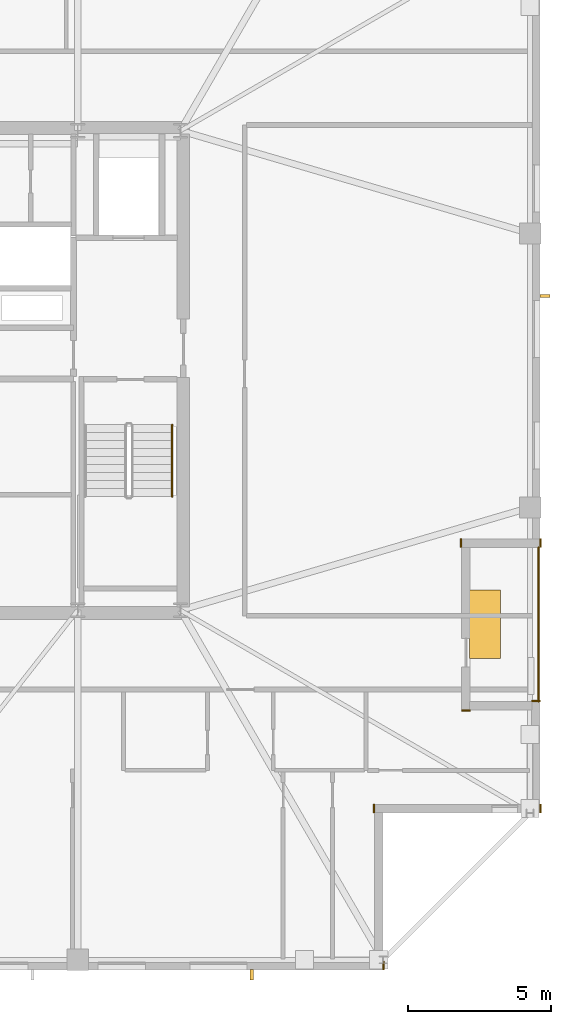
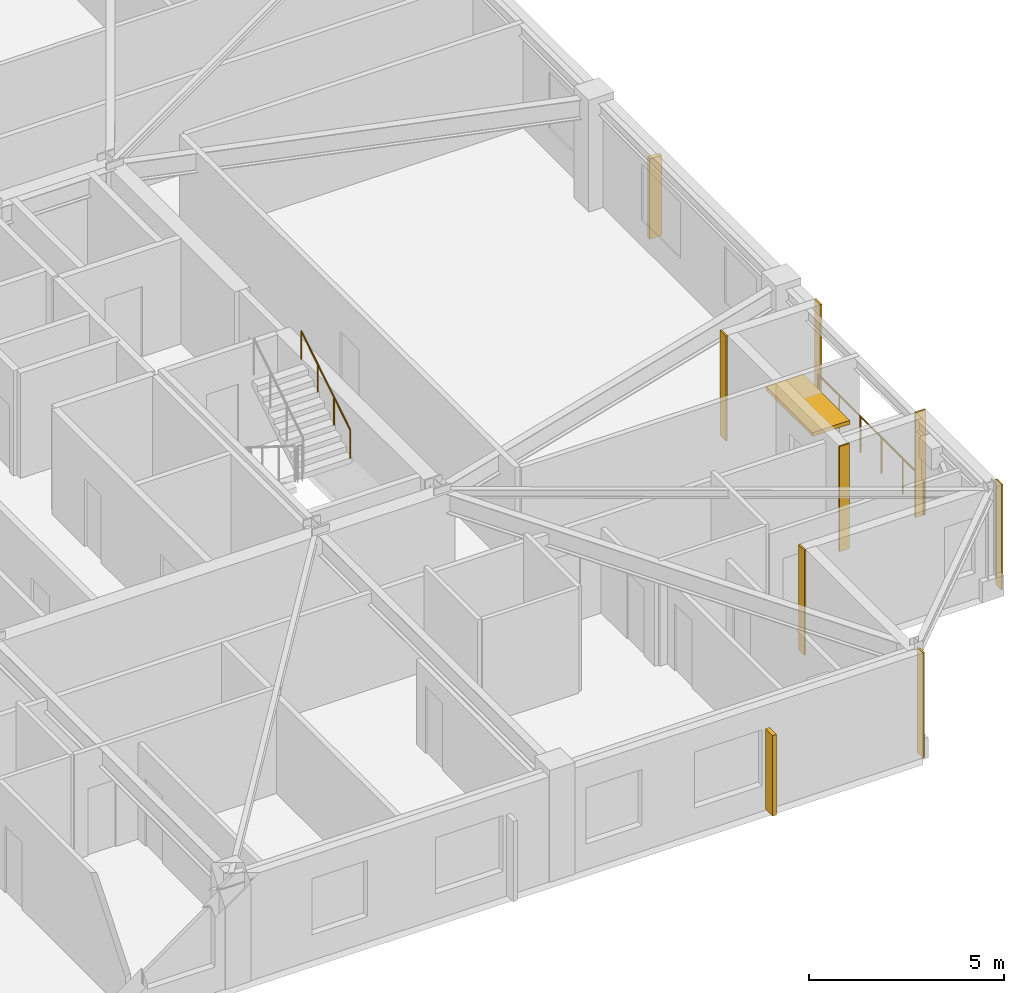
# One storey, part 13 of 14: 7 coverings, 3 shading devices, 2 railings.
"""IFC4 building model written with IfcOpenShell, lengths in metres."""

from ifc_helpers import new_model, si_unit, direction, frame, frame_2d, origin, origin_2d, place, context, subcontext, project, spatial, rectangle, circle, extrude, material, layer, layer_set, type_object, element, save


model = new_model("IFC4")

# Units and contexts
model_context = context("Model", 3, precision=1e-05, world=origin(), true_north=direction((0.0, 1.0)))
body_context = subcontext(model_context, "Body", "Model", "MODEL_VIEW")
ifc_project = project(units=[si_unit("LENGTHUNIT", "METRE"), si_unit("AREAUNIT", "SQUARE_METRE"), si_unit("VOLUMEUNIT", "CUBIC_METRE"), si_unit("PLANEANGLEUNIT", "RADIAN"), si_unit("MASSUNIT", "GRAM", prefix="KILO")], contexts=[model_context])

# Site, building, storey
site_placement = place(None, origin())
site = spatial("IfcSite", under=ifc_project, at=site_placement, CompositionType="ELEMENT")
building_placement = place(site_placement, origin())
building = spatial("IfcBuilding", under=site, at=building_placement, Name="Cairnveth Concourse Tower", CompositionType="ELEMENT")
storey_placement = place(building_placement, frame((0.0, 0.0, 294.5)))
storey = spatial("IfcBuildingStorey", under=building, at=storey_placement, Name="L81", CompositionType="ELEMENT", Elevation=294.5)

# Coverings
ifc_material_1 = material(Name="Dressed Melbourne Bluestone Cladding", Category="masonry")
ifc_layer = layer(ifc_material_1, 0.050048828125)
ifc_layer_set = layer_set([ifc_layer], Name="Dressed Melbourne Bluestone Cladding")
covering_type = type_object("IfcCoveringType", Name="DRESSED BLUESTONE PLINTH CLADDING 50", PredefinedType="CLADDING", material=ifc_layer_set)
for number, where, z_axis, x_axis, name in (
    (1, (72.699951171875, 27.419921875, 0.0), (0.0, 0.0, 1.0), (1.0, 0.0, 0.0), "Melbourne Bluestone Corner Quoin L81-1227"),
    (2, (73.02001953125, 23.800048828125, 0.0), (0.0, 0.0, 1.0), (0.0, -1.0, 0.0), "Melbourne Bluestone Corner Quoin L81-1228"),
    (3, (67.179931640625, 23.800048828125, 0.0), (0.0, 0.0, 1.0), (0.0, -1.0, 0.0), "Melbourne Bluestone Corner Quoin L81-1229"),
    (4, (67.52001953125, 18.300048828125, 0.0), (0.0, 0.0, 1.0), (0.0, -1.0, 0.0), "Melbourne Bluestone Corner Quoin L81-1230"),
    (5, (73.02001953125, 33.10009765625, 0.0), (0.0, 0.0, 1.0), (0.0, -1.0, 0.0), "Melbourne Bluestone Corner Quoin L81-1240"),
    (6, (70.22998046875, 33.10009765625, 0.0), (0.0, 0.0, 1.0), (0.0, -1.0, 0.0), "Melbourne Bluestone Corner Quoin L81-1241"),
    (7, (70.25, 27.080078125, 0.0), (0.0, 0.0, 1.0), (1.0, 0.0, 0.0), "Melbourne Bluestone Corner Quoin L81-1242"),
):
    element("IfcCovering", number, at=place(storey_placement, frame(where, z_axis=z_axis, x_axis=x_axis)), inside=storey, type_object=covering_type, Name=name, PredefinedType="CLADDING", context=body_context, shape_type="SweptSolid", body=[
        extrude(rectangle(XDim=0.300048828125, YDim=0.050048828125, at=frame_2d((0.14990234375, 0.0))), origin(), (0.0, 0.0, 1.0), 3.2900390625),
    ])

# Shading devices
ifc_material_2 = material(Name="Architectural Bronze Anodised Aluminium 6063-T6", Category="aluminium")
shading_device_type_1 = type_object("IfcShadingDeviceType", Name="GOTHIC BRONZE VERTICAL LANCET FIN", PredefinedType="USERDEFINED", material=ifc_material_2)
for number, where, z_axis, x_axis, name in (
    (8, (62.8916015625, 17.824951171875, 0.030029296875), (0.0, 0.0, 1.0), (1.0, 0.0, 0.0), "Gothic Bronze Vertical Fin L81-3-1"),
    (9, (73.175048828125, 41.60888671875, 0.030029296875), (0.0, 0.0, 1.0), (0.0, 1.0, 0.0), "Gothic Bronze Vertical Fin L81-12-3"),
):
    element("IfcShadingDevice", number, at=place(storey_placement, frame(where, z_axis=z_axis, x_axis=x_axis)), inside=storey, type_object=shading_device_type_1, Name=name, ObjectType="VERTICAL FIN", PredefinedType="USERDEFINED", context=body_context, shape_type="SweptSolid", body=[
        extrude(rectangle(XDim=0.1201171875, YDim=0.360107421875, at=origin_2d()), origin(), (0.0, 0.0, 1.0), 2.51806640625),
    ])
shading_device_type_2 = type_object("IfcShadingDeviceType", Name="SPIRAL TERRACE SUNSHADE CANOPY", PredefinedType="USERDEFINED", material=ifc_material_2)
shading_device_placement = place(storey_placement, frame((71.070068359375, 30.10009765625, 2.39794921875), z_axis=(0.0, 0.0, 1.0), x_axis=(1.0, 0.0, 0.0)))
element("IfcShadingDevice", 10, at=shading_device_placement, inside=storey, type_object=shading_device_type_2, Name="Spiral Terrace Sunshade L81", ObjectType="TERRACE SUNSHADE", PredefinedType="USERDEFINED", context=body_context, shape_type="SweptSolid", body=[
    extrude(rectangle(XDim=1.10009765625, YDim=2.39990234375, at=origin_2d()), origin(), (0.0, 0.0, 1.0), 0.1201171875),
])

# Railings
ifc_material_3 = material(Name="Steel Grade 350", Category="steel")
railing_type_1 = type_object("IfcRailingType", Name="STAIR WALL HANDRAIL 900", PredefinedType="HANDRAIL", material=ifc_material_3)
railing_1_placement = place(storey_placement, frame((60.110107421875, 34.580078125, 1.925048828125)))
element("IfcRailing", 11, at=railing_1_placement, inside=storey, type_object=railing_type_1, Name="L81 ST-2 stair handrail 2", PredefinedType="HANDRAIL", context=body_context, shape_type="SweptSolid", body=[
    extrude(circle(Radius=0.02392578125, at=origin_2d()), frame((0.0, 0.0, 0.8759765625), z_axis=(0.0, 0.848007534815, 0.529984170421), x_axis=(-1.0, 0.0, 0.0)), (0.0, 0.0, 1.0), 2.9716796875),
    extrude(circle(Radius=0.02099609375, at=origin_2d()), origin(), (0.0, 0.0, 1.0), 0.851806640625),
    extrude(circle(Radius=0.02099609375, at=origin_2d()), frame((0.0, 0.840087890625, 0.52490234375)), (0.0, 0.0, 1.0), 0.851806640625),
    extrude(circle(Radius=0.02099609375, at=origin_2d()), frame((0.0, 1.679931640625, 1.050048828125)), (0.0, 0.0, 1.0), 0.851806640625),
    extrude(circle(Radius=0.02099609375, at=origin_2d()), frame((0.0, 2.52001953125, 1.574951171875)), (0.0, 0.0, 1.0), 0.851806640625),
])
railing_type_2 = type_object("IfcRailingType", Name="TERRACE BRONZE BALUSTRADE 1150", PredefinedType="BALUSTRADE", material=ifc_material_2)
railing_2_placement = place(storey_placement, frame((72.93994140625, 27.39990234375, 0.0)))
element("IfcRailing", 12, at=railing_2_placement, inside=storey, type_object=railing_type_2, Name="Terrace Balustrade RL-L81-TERR", PredefinedType="BALUSTRADE", context=body_context, shape_type="SweptSolid", body=[
    extrude(circle(Radius=0.02490234375, at=origin_2d()), frame((0.0, 0.0, 1.125), z_axis=(0.0, 1.0, 0.0), x_axis=(-1.0, 0.0, 0.0)), (0.0, 0.0, 1.0), 5.400146484375),
    extrude(circle(Radius=0.02099609375, at=origin_2d()), origin(), (0.0, 0.0, 1.0), 1.099853515625),
    extrude(circle(Radius=0.02099609375, at=origin_2d()), frame((0.0, 1.080078125, 0.0)), (0.0, 0.0, 1.0), 1.099853515625),
    extrude(circle(Radius=0.02099609375, at=origin_2d()), frame((0.0, 2.16015625, 0.0)), (0.0, 0.0, 1.0), 1.099853515625),
    extrude(circle(Radius=0.02099609375, at=origin_2d()), frame((0.0, 3.239990234375, 0.0)), (0.0, 0.0, 1.0), 1.099853515625),
    extrude(circle(Radius=0.02099609375, at=origin_2d()), frame((0.0, 4.320068359375, 0.0)), (0.0, 0.0, 1.0), 1.099853515625),
    extrude(circle(Radius=0.02099609375, at=origin_2d()), frame((0.0, 5.400146484375, 0.0)), (0.0, 0.0, 1.0), 1.099853515625),
])

save(model, "model.ifc")
